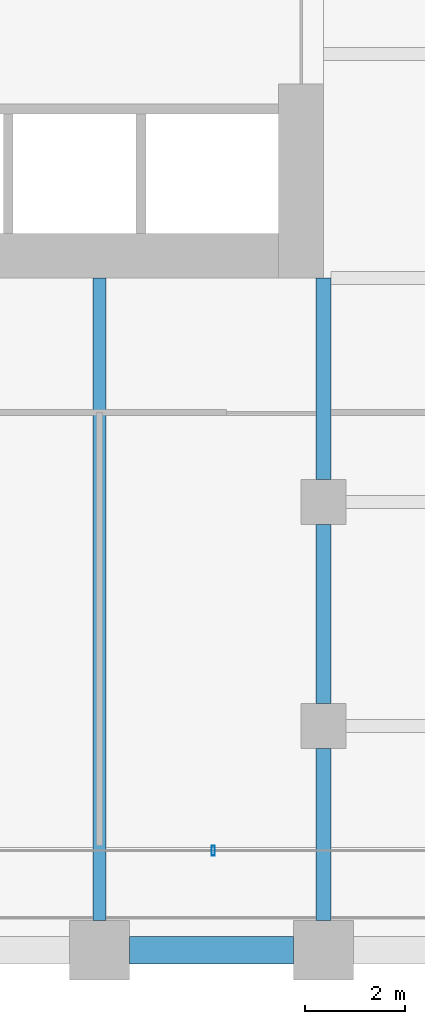
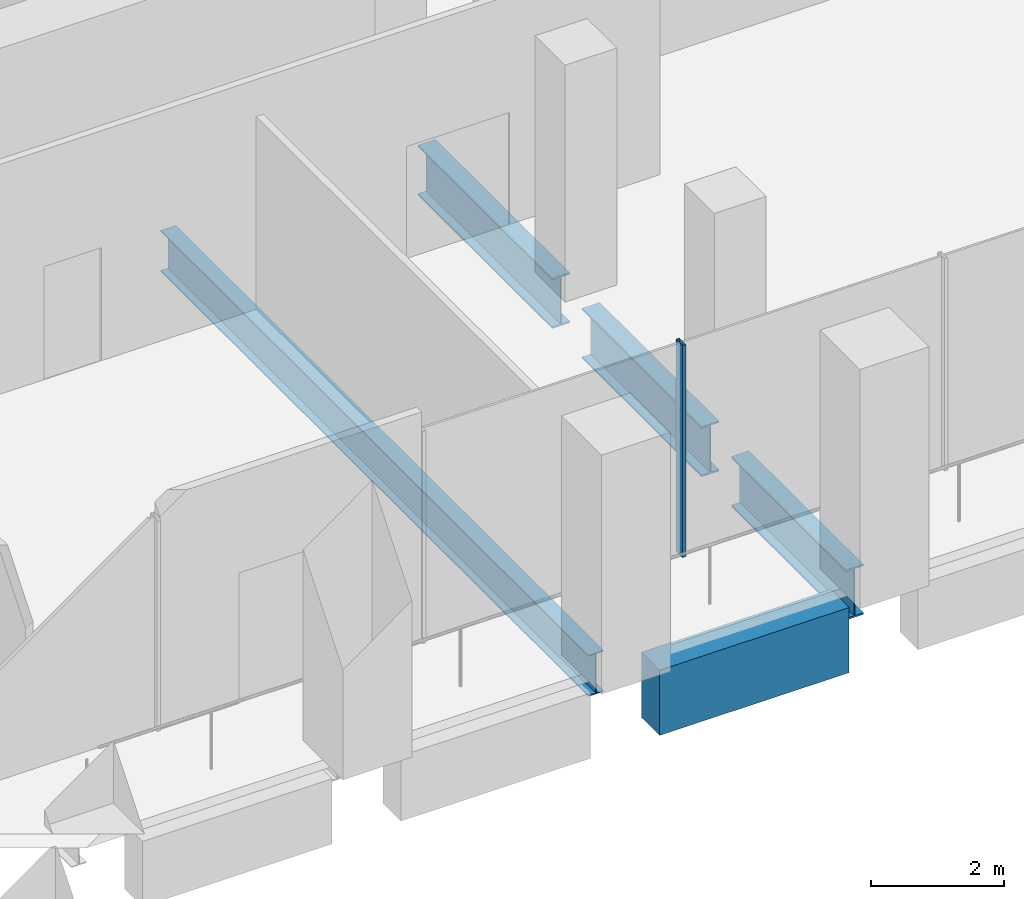
# One storey, part 6 of 36: 5 beams, 1 member, 1 element without a shape of its own.
"""IFC4 building model written with IfcOpenShell, lengths in metres."""

from ifc_helpers import new_model, si_unit, direction, frame, origin, origin_2d, place, context, subcontext, project, spatial, rectangle, hollow_rectangle, i_section, extrude, material, material_profile, profile_set, type_object, element, aggregate, save


model = new_model("IFC4")

# Units and contexts
model_context = context("Model", 3, precision=1e-05, world=origin(), true_north=direction((0.0, 1.0)))
body_context = subcontext(model_context, "Body", "Model", "MODEL_VIEW")
ifc_project = project(units=[si_unit("LENGTHUNIT", "METRE"), si_unit("AREAUNIT", "SQUARE_METRE"), si_unit("VOLUMEUNIT", "CUBIC_METRE"), si_unit("PLANEANGLEUNIT", "RADIAN"), si_unit("MASSUNIT", "GRAM", prefix="KILO")], contexts=[model_context])

# Site, building, storey
site_placement = place(None, origin())
site = spatial("IfcSite", under=ifc_project, at=site_placement, CompositionType="ELEMENT")
building_placement = place(site_placement, origin())
building = spatial("IfcBuilding", under=site, at=building_placement, Name="Altepetl Exchange Towers", CompositionType="ELEMENT")
storey_placement = place(building_placement, frame((0.0, 0.0, 43.0)))
storey = spatial("IfcBuildingStorey", under=building, at=storey_placement, Name="L09", CompositionType="ELEMENT", Elevation=43.0)

# Beams
ifc_material_1 = material(Name="Steel S355", Category="steel")
ifc_material_profile_1 = material_profile(ifc_material_1, i_section(OverallWidth=0.26611328125, OverallDepth=0.758056640625, WebThickness=0.013916015625, FlangeThickness=0.019287109375, at=origin_2d()), Name="W30X108")
ifc_profile_set_1 = profile_set([ifc_material_profile_1], Name="Steel S355")
beam_type_1 = type_object("IfcBeamType", Name="Floor beam W30X108", PredefinedType="BEAM", material=ifc_profile_set_1)
beam_1_placement = place(storey_placement, frame((54.0, 27.60009765625, -0.553955078125), z_axis=(0.0, 1.0, 0.0), x_axis=(-1.0, 0.0, 0.0)))
element("IfcBeam", 1, at=beam_1_placement, inside=storey, type_object=beam_type_1, Name="bm:A:L09:017", PredefinedType="BEAM", context=body_context, shape_type="SweptSolid", body=[
    extrude(i_section(OverallWidth=0.26611328125, OverallDepth=0.758056640625, WebThickness=0.013916015625, FlangeThickness=0.019287109375, at=origin_2d()), origin(), (0.0, 0.0, 1.0), 12.89990234375),
])
ifc_material_profile_2 = material_profile(ifc_material_1, i_section(OverallWidth=0.306884765625, OverallDepth=0.923095703125, WebThickness=0.018310546875, FlangeThickness=0.030029296875, at=origin_2d()), Name="W36X182")
ifc_profile_set_2 = profile_set([ifc_material_profile_2], Name="Steel S355")
beam_type_2 = type_object("IfcBeamType", Name="Girder W36X182", PredefinedType="BEAM", material=ifc_profile_set_2)
beam_2_placement = place(storey_placement, frame((58.5, 40.5, -0.636474609375), z_axis=(0.0, -1.0, 0.0), x_axis=(1.0, 0.0, 0.0)))
element("IfcBeam", 2, at=beam_2_placement, inside=storey, type_object=beam_type_2, Name="gd:A:L09:006", PredefinedType="BEAM", context=body_context, shape_type="SweptSolid", body=[
    extrude(i_section(OverallWidth=0.306884765625, OverallDepth=0.923095703125, WebThickness=0.018310546875, FlangeThickness=0.030029296875, at=origin_2d()), origin(), (0.0, 0.0, 1.0), 4.050048828125),
])
beam_3_placement = place(storey_placement, frame((58.5, 35.550048828125, -0.636474609375), z_axis=(0.0, -1.0, 0.0), x_axis=(1.0, 0.0, 0.0)))
element("IfcBeam", 3, at=beam_3_placement, inside=storey, type_object=beam_type_2, Name="gd:A:L09:007", PredefinedType="BEAM", context=body_context, shape_type="SweptSolid", body=[
    extrude(i_section(OverallWidth=0.306884765625, OverallDepth=0.923095703125, WebThickness=0.018310546875, FlangeThickness=0.030029296875, at=origin_2d()), origin(), (0.0, 0.0, 1.0), 3.60009765625),
])
beam_4_placement = place(storey_placement, frame((58.5, 31.050048828125, -0.636474609375), z_axis=(0.0, -1.0, 0.0), x_axis=(1.0, 0.0, 0.0)))
element("IfcBeam", 4, at=beam_4_placement, inside=storey, type_object=beam_type_2, Name="gd:A:L09:008", PredefinedType="BEAM", context=body_context, shape_type="SweptSolid", body=[
    extrude(i_section(OverallWidth=0.306884765625, OverallDepth=0.923095703125, WebThickness=0.018310546875, FlangeThickness=0.030029296875, at=origin_2d()), origin(), (0.0, 0.0, 1.0), 3.449951171875),
])

# Curtain wall, member
ifc_material_2 = material(Name="Aluminium 6063-T6 glazing", Category="aluminium")
curtain_wall_type = type_object("IfcCurtainWallType", Name="Trading floor glazing system", PredefinedType="NOTDEFINED", material=ifc_material_2)
curtain_wall_placement = place(storey_placement, origin())
curtain_wall = element("IfcCurtainWall", 5, at=curtain_wall_placement, inside=storey, type_object=curtain_wall_type, Name="CW2 run", PredefinedType="NOTDEFINED")
ifc_material_3 = material(Name="Aluminium 6063-T6", Category="aluminium")
ifc_material_profile_3 = material_profile(ifc_material_3, hollow_rectangle(XDim=0.06005859375, YDim=0.199951171875, WallThickness=0.0029296875, at=origin_2d()), Name="Mullion 60x200 aluminium")
ifc_profile_set_3 = profile_set([ifc_material_profile_3], Name="Aluminium 6063-T6")
member_type = type_object("IfcMemberType", Name="Mullion 60x200 aluminium", PredefinedType="MULLION", material=ifc_profile_set_3)
member_placement = place(storey_placement, frame((56.28564453125, 29.0, 0.0)))
member = element("IfcMember", 6, at=member_placement, type_object=member_type, Name="MU2 mullion", PredefinedType="MULLION", context=body_context, shape_type="SweptSolid", body=[
    extrude(hollow_rectangle(XDim=0.06005859375, YDim=0.199951171875, WallThickness=0.0029296875, at=origin_2d()), origin(), (0.0, 0.0, 1.0), 3.89990234375),
])
aggregate(curtain_wall, [member])

# Beam
ifc_material_4 = material(Name="Concrete C50/60 precast with cantera blanca facing", Category="concrete")
ifc_material_profile_4 = material_profile(ifc_material_4, rectangle(XDim=0.550048828125, YDim=1.199951171875, at=origin_2d()), Name="550 x 1200")
ifc_profile_set_4 = profile_set([ifc_material_profile_4], Name="Concrete C50/60 precast with cantera blanca facing")
beam_type_3 = type_object("IfcBeamType", Name="Spandrel beam 550x1200 cantera blanca", PredefinedType="SPANDREL", material=ifc_profile_set_4)
beam_5_placement = place(storey_placement, frame((54.60009765625, 27.0, -0.77490234375), z_axis=(1.0, 0.0, 0.0), x_axis=(0.0, 1.0, 0.0)))
element("IfcBeam", 7, at=beam_5_placement, inside=storey, type_object=beam_type_3, Name="sp:A:L09:005", PredefinedType="SPANDREL", context=body_context, shape_type="SweptSolid", body=[
    extrude(rectangle(XDim=0.550048828125, YDim=1.199951171875, at=origin_2d()), origin(), (0.0, 0.0, 1.0), 3.2998046875),
])

save(model, "model.ifc")
